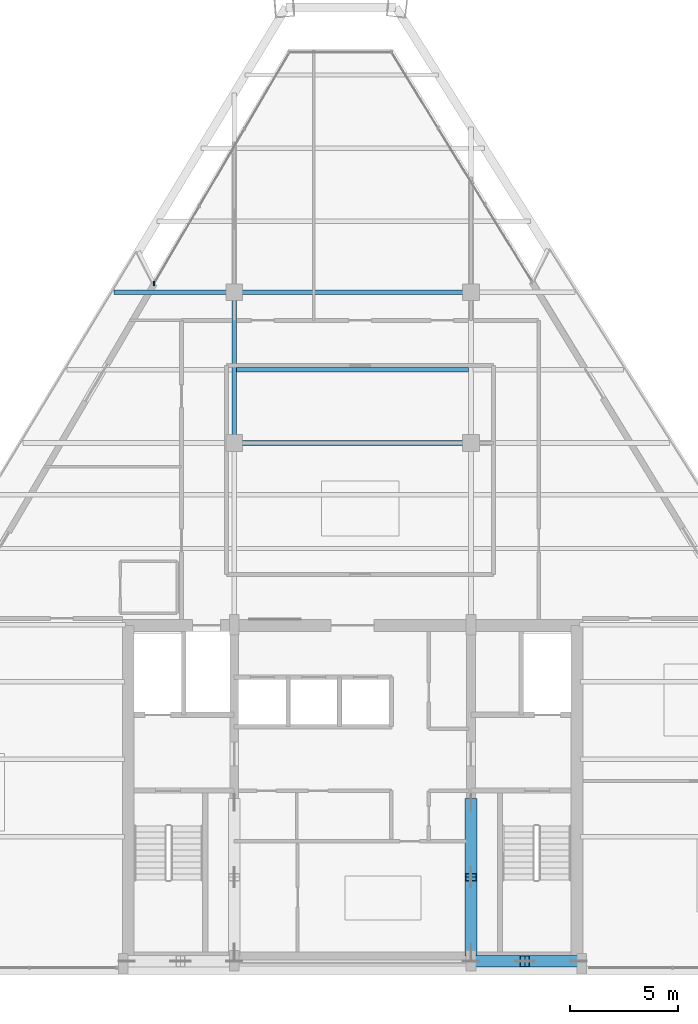
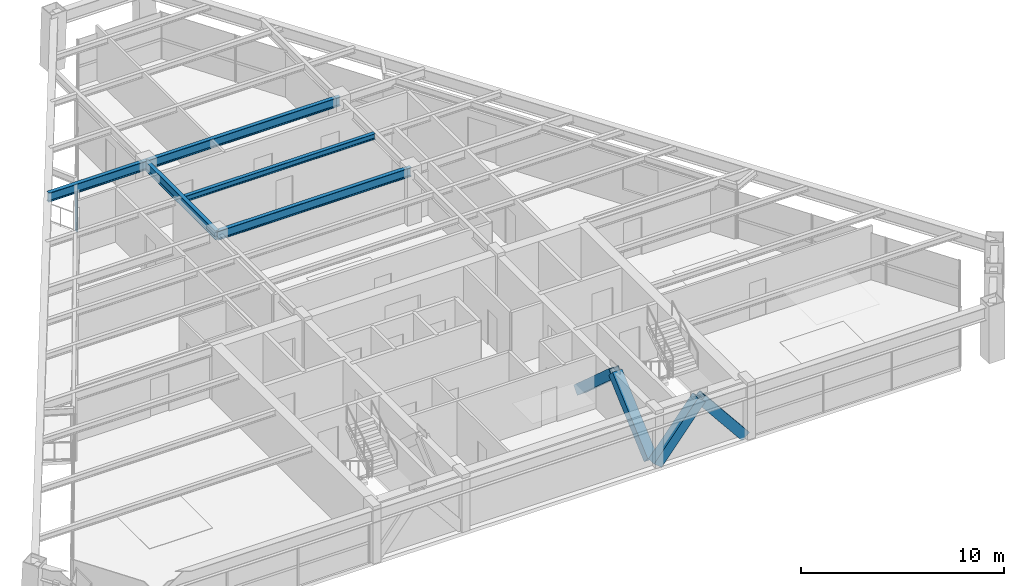
# One storey, part 4 of 13: 6 members, 5 beams, 1 element without a shape of its own.
"""IFC4 building model written with IfcOpenShell, lengths in metres."""

from ifc_helpers import new_model, si_unit, direction, frame, origin, origin_2d, place, context, subcontext, project, spatial, rectangle, hollow_rectangle, i_section, extrude, source, transform, mapped, material, material_profile, profile_set, type_object, element, aggregate, save


model = new_model("IFC4")

# Units and contexts
model_context = context("Model", 3, precision=1e-05, world=origin(), true_north=direction((0.0, 1.0)))
body_context = subcontext(model_context, "Body", "Model", "MODEL_VIEW")
ifc_project = project(units=[si_unit("LENGTHUNIT", "METRE"), si_unit("AREAUNIT", "SQUARE_METRE"), si_unit("VOLUMEUNIT", "CUBIC_METRE"), si_unit("PLANEANGLEUNIT", "RADIAN"), si_unit("MASSUNIT", "GRAM", prefix="KILO")], contexts=[model_context])

# Site, building, storey
site_placement = place(None, origin())
site = spatial("IfcSite", under=ifc_project, at=site_placement, CompositionType="ELEMENT")
building_placement = place(site_placement, origin())
building = spatial("IfcBuilding", under=site, at=building_placement, Name="Varnakhor Terracotta Tower", CompositionType="ELEMENT")
storey_placement = place(building_placement, frame((0.0, 0.0, 247.60009765625)))
storey = spatial("IfcBuildingStorey", under=building, at=storey_placement, Name="L64", CompositionType="ELEMENT", Elevation=247.60009765625)

# Beams
ifc_material_1 = material(Name="Steel S355", Category="steel")
ifc_material_profile_1 = material_profile(ifc_material_1, i_section(OverallWidth=0.214111328125, OverallDepth=0.549072265625, WebThickness=0.014892578125, FlangeThickness=0.02392578125, FilletRadius=0.01806640625, at=origin_2d()), Name="W21X93")
ifc_profile_set_1 = profile_set([ifc_material_profile_1], Name="Steel S355")
beam_type_1 = type_object("IfcBeamType", Name="BM-W21X93", PredefinedType="BEAM", material=ifc_profile_set_1)
shared_shape_1 = source(origin(), body_context, "Body", "SweptSolid", [
    extrude(i_section(OverallWidth=0.214111328125, OverallDepth=0.549072265625, WebThickness=0.014892578125, FlangeThickness=0.02392578125, FilletRadius=0.01806640625, at=origin_2d()), origin(), (0.0, 0.0, 1.0), 7.0),
])
beam_1_placement = place(storey_placement, frame((-5.5, 24.5, 2.96533203125), z_axis=(0.0, 1.0, 0.0), x_axis=(-1.0, 0.0, 0.0)))
element("IfcBeam", 1, at=beam_1_placement, inside=storey, type_object=beam_type_1, Name="L64 Primary Girder NS2-W", PredefinedType="BEAM", context=body_context, shape_type="MappedRepresentation", body=[
    mapped(shared_shape_1, transform((0.0, 0.0, 0.0), scale=1.0)),
])
shared_shape_2 = source(origin(), body_context, "Body", "SweptSolid", [
    extrude(i_section(OverallWidth=0.214111328125, OverallDepth=0.549072265625, WebThickness=0.014892578125, FlangeThickness=0.02392578125, FilletRadius=0.01806640625, at=origin_2d()), origin(), (0.0, 0.0, 1.0), 11.0),
])
for number, where, z_axis, x_axis, name in (
    (2, (-5.5, 24.5, 2.96533203125), (1.0, 0.0, 0.0), (0.0, 1.0, 0.0), "L64 Primary Girder EW2-2"),
    (3, (-5.5, 31.5, 2.96533203125), (1.0, 0.0, 0.0), (0.0, 1.0, 0.0), "L64 Primary Girder EW3-2"),
):
    element("IfcBeam", number, at=place(storey_placement, frame(where, z_axis=z_axis, x_axis=x_axis)), inside=storey, type_object=beam_type_1, Name=name, PredefinedType="BEAM", context=body_context, shape_type="MappedRepresentation", body=[
        mapped(shared_shape_2, transform((0.0, 0.0, 0.0), scale=1.0)),
    ])
ifc_material_profile_2 = material_profile(ifc_material_1, i_section(OverallWidth=0.202880859375, OverallDepth=0.346923828125, WebThickness=0.0078125, FlangeThickness=0.013427734375, FilletRadius=0.01806640625, at=origin_2d()), Name="W14X43")
ifc_profile_set_2 = profile_set([ifc_material_profile_2], Name="Steel S355")
beam_type_2 = type_object("IfcBeamType", Name="JST-W14X43", PredefinedType="JOIST", material=ifc_profile_set_2)
shared_shape_3 = source(origin(), body_context, "Body", "SweptSolid", [
    extrude(i_section(OverallWidth=0.202880859375, OverallDepth=0.346923828125, WebThickness=0.0078125, FlangeThickness=0.013427734375, FilletRadius=0.01806640625, at=origin_2d()), origin(), (0.0, 0.0, 1.0), 10.7939453125),
])
beam_2_placement = place(storey_placement, frame((-5.39697265625, 27.89990234375, 3.06640625), z_axis=(1.0, 0.0, 0.0), x_axis=(0.0, 1.0, 0.0)))
element("IfcBeam", 4, at=beam_2_placement, inside=storey, type_object=beam_type_2, Name="L64 Composite Floor Joist 6-2", PredefinedType="JOIST", context=body_context, shape_type="MappedRepresentation", body=[
    mapped(shared_shape_3, transform((0.0, 0.0, 0.0), scale=1.0)),
])

# Members
ifc_material_profile_3 = material_profile(ifc_material_1, hollow_rectangle(XDim=0.550048828125, YDim=0.550048828125, WallThickness=0.034912109375, at=origin_2d()), Name="HSS550X550X35")
ifc_profile_set_3 = profile_set([ifc_material_profile_3], Name="Steel S355")
member_type_1 = type_object("IfcMemberType", Name="MBR-MEGA-550", PredefinedType="BRACE", material=ifc_profile_set_3)
shared_shape_4 = source(origin(), body_context, "Body", "SweptSolid", [
    extrude(hollow_rectangle(XDim=0.550048828125, YDim=0.550048828125, WallThickness=0.034912109375, at=origin_2d()), origin(), (0.0, 0.0, 1.0), 4.650146484375),
])
member_1_placement = place(storey_placement, frame((5.5, 7.800048828125, 0.0), z_axis=(0.0, -0.747316617832, 0.664468112638), x_axis=(1.0, 0.0, 0.0)))
element("IfcMember", 5, at=member_1_placement, inside=storey, type_object=member_type_1, Name="L64 Core Coupled Brace CWEB", PredefinedType="BRACE", context=body_context, shape_type="MappedRepresentation", body=[
    mapped(shared_shape_4, transform((0.0, 0.0, 0.0), scale=1.0)),
])
shared_shape_5 = source(origin(), body_context, "Body", "SweptSolid", [
    extrude(hollow_rectangle(XDim=0.550048828125, YDim=0.550048828125, WallThickness=0.034912109375, at=origin_2d()), origin(), (0.0, 0.0, 1.0), 3.974609375),
])
for number, where, z_axis, x_axis, name in (
    (6, (5.5, 0.419921875, 0.0), (0.629000299358, 0.0, 0.777405057488), (0.0, 1.0, 0.0), "L64 Core Coupled Brace CSEA"),
    (7, (10.5, 0.419921875, 0.0), (-0.629000299358, 0.0, 0.777405057488), (0.0, -1.0, 0.0), "L64 Core Coupled Brace CSEB"),
):
    element("IfcMember", number, at=place(storey_placement, frame(where, z_axis=z_axis, x_axis=x_axis)), inside=storey, type_object=member_type_1, Name=name, PredefinedType="BRACE", context=body_context, shape_type="MappedRepresentation", body=[
        mapped(shared_shape_5, transform((0.0, 0.0, 0.0), scale=1.0)),
    ])
shared_shape_6 = source(origin(), body_context, "Body", "SweptSolid", [
    extrude(hollow_rectangle(XDim=0.550048828125, YDim=0.550048828125, WallThickness=0.034912109375, at=origin_2d()), origin(), (0.0, 0.0, 1.0), 4.64990234375),
])
member_2_placement = place(storey_placement, frame((5.5, 0.85009765625, 0.0), z_axis=(0.0, 0.747293435799, 0.664494184182), x_axis=(-1.0, 0.0, 0.0)))
element("IfcMember", 8, at=member_2_placement, inside=storey, type_object=member_type_1, Name="L64 Core Coupled Brace CWEA", PredefinedType="BRACE", context=body_context, shape_type="MappedRepresentation", body=[
    mapped(shared_shape_6, transform((0.0, 0.0, 0.0), scale=1.0)),
])

# Beam
shared_shape_7 = source(origin(), body_context, "Body", "SweptSolid", [
    extrude(i_section(OverallWidth=0.214111328125, OverallDepth=0.549072265625, WebThickness=0.014892578125, FlangeThickness=0.02392578125, FilletRadius=0.01806640625, at=origin_2d()), origin(), (0.0, 0.0, 1.0), 5.59130859375),
])
beam_3_placement = place(storey_placement, frame((-11.09130859375, 31.5, 2.96533203125), z_axis=(1.0, 0.0, 0.0), x_axis=(0.0, 1.0, 0.0)))
element("IfcBeam", 9, at=beam_3_placement, inside=storey, type_object=beam_type_1, Name="L64 Primary Girder EW3-1", PredefinedType="BEAM", context=body_context, shape_type="MappedRepresentation", body=[
    mapped(shared_shape_7, transform((0.0, 0.0, 0.0), scale=1.0)),
])

# Curtain wall, members
ifc_material_2 = material(Name="Anodised Aluminium Curtain Wall System", Category="aluminium")
curtain_wall_type = type_object("IfcCurtainWallType", Name="CW-SYS-HOTEL-LOGGIA", PredefinedType="NOTDEFINED", material=ifc_material_2)
curtain_wall_placement = place(storey_placement, origin())
curtain_wall = element("IfcCurtainWall", 10, at=curtain_wall_placement, inside=storey, type_object=curtain_wall_type, Name="L64 W Facet Curtain Wall 2", PredefinedType="NOTDEFINED")
ifc_material_3 = material(Name="Anodised Aluminium 6063-T6", Category="aluminium")
ifc_material_profile_4 = material_profile(ifc_material_3, rectangle(XDim=0.06494140625, YDim=0.159912109375, at=origin_2d()), Name="ALU MULLION 65x160")
ifc_profile_set_4 = profile_set([ifc_material_profile_4], Name="Anodised Aluminium 6063-T6")
member_type_2 = type_object("IfcMemberType", Name="CWM-04", PredefinedType="MULLION", material=ifc_profile_set_4)
shared_shape_8 = source(origin(), body_context, "Body", "SweptSolid", [
    extrude(rectangle(XDim=0.06494140625, YDim=0.159912109375, at=origin_2d()), origin(), (0.0, 0.0, 1.0), 2.81982421875),
])
member_3_placement = place(storey_placement, frame((-9.22021484375, 31.925048828125, 0.0), z_axis=(0.0, 0.0, 1.0), x_axis=(1.0, 0.0, 0.0)))
member_3 = element("IfcMember", 11, at=member_3_placement, type_object=member_type_2, Name="L64 W Facet Curtain Wall 2 Mullion 1", PredefinedType="MULLION", context=body_context, shape_type="MappedRepresentation", body=[
    mapped(shared_shape_8, transform((0.0, 0.0, 0.0), scale=1.0)),
])
member_4_placement = place(storey_placement, frame((-9.218017578125, 31.888916015625, 0.0), z_axis=(0.0, 0.0, 1.0), x_axis=(1.0, 0.0, 0.0)))
member_4 = element("IfcMember", 12, at=member_4_placement, type_object=member_type_2, Name="L64 W Loggia Jamb Closure Mullion 2", PredefinedType="MULLION", context=body_context, shape_type="MappedRepresentation", body=[
    mapped(shared_shape_8, transform((0.0, 0.0, 0.0), scale=1.0)),
])
aggregate(curtain_wall, [member_3, member_4])

save(model, "model.ifc")
